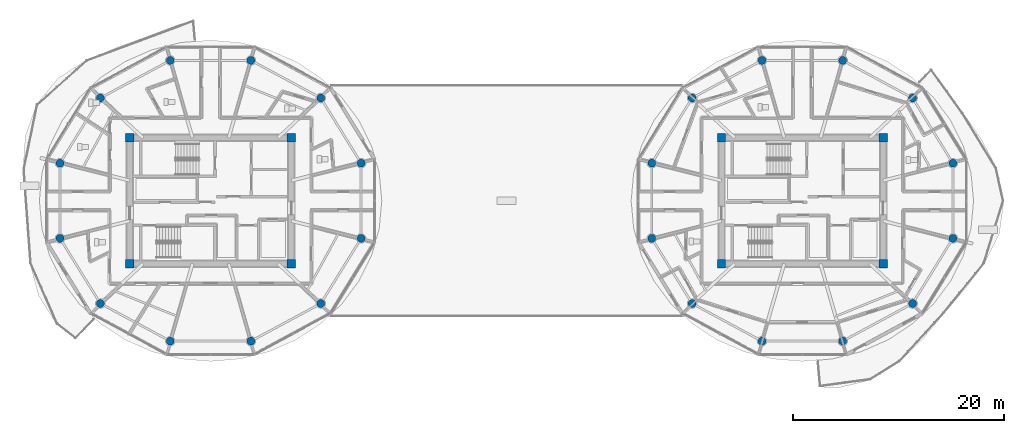
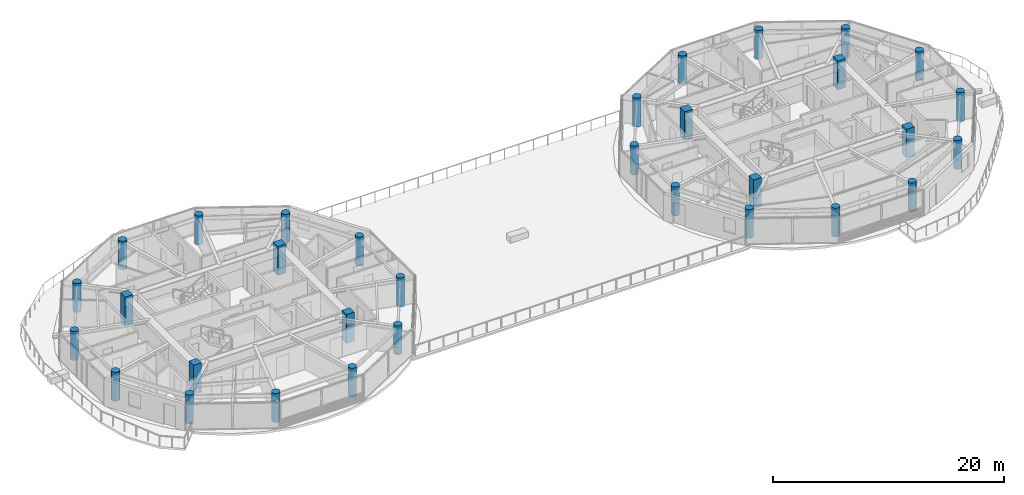
# One storey, part 1 of 30: 32 columns.
"""IFC4 building model written with IfcOpenShell, lengths in metres."""

from ifc_helpers import new_model, si_unit, direction, frame, origin, origin_2d, place, context, subcontext, project, spatial, rectangle, circle, extrude, source, transform, mapped, material, material_profile, profile_set, type_object, type_shapes, element, save


model = new_model("IFC4")

# Units and contexts
model_context = context("Model", 3, precision=1e-05, world=origin(), true_north=direction((0.0, 1.0)))
body_context = subcontext(model_context, "Body", "Model", "MODEL_VIEW")
ifc_project = project(units=[si_unit("LENGTHUNIT", "METRE"), si_unit("AREAUNIT", "SQUARE_METRE"), si_unit("VOLUMEUNIT", "CUBIC_METRE"), si_unit("PLANEANGLEUNIT", "RADIAN"), si_unit("MASSUNIT", "GRAM", prefix="KILO")], contexts=[model_context])

# Site, building, storey
site_placement = place(None, origin())
site = spatial("IfcSite", under=ifc_project, at=site_placement, CompositionType="ELEMENT")
building_placement = place(site_placement, origin())
building = spatial("IfcBuilding", under=site, at=building_placement, Name="Norrkilde Senior Care Towers", CompositionType="ELEMENT")
storey_placement = place(building_placement, frame((0.0, 0.0, 232.199951171875)))
storey = spatial("IfcBuildingStorey", under=building, at=storey_placement, Name="L72", CompositionType="ELEMENT", Elevation=232.199951171875)

# Columns
ifc_material_1 = material(Name="Concrete C60/75", Category="concrete")
ifc_material_profile_1 = material_profile(ifc_material_1, rectangle(XDim=0.800048828125, YDim=0.800048828125, at=origin_2d()), Name="RC COL 800x800")
ifc_profile_set_1 = profile_set([ifc_material_profile_1], Name="Concrete C60/75")
column_type_1 = type_object("IfcColumnType", Name="Column Core Corner Z3-Z4 800", PredefinedType="COLUMN", material=ifc_profile_set_1)
shared_shape_1 = source(origin(), body_context, "Body", "SweptSolid", [
    extrude(rectangle(XDim=0.800048828125, YDim=0.800048828125, at=origin_2d()), origin(), (0.0, 0.0, 1.0), 3.050048828125),
])
type_shapes(column_type_1, [shared_shape_1])
for number, where, z_axis, x_axis, name in (
    (1, (-35.64990234375, -5.949951171875, 0.0), (0.0, 0.0, 1.0), (1.0, 0.0, 0.0), "L72 Core W Corner Column 1"),
    (2, (-20.35009765625, -5.949951171875, 0.0), (0.0, 0.0, 1.0), (1.0, 0.0, 0.0), "L72 Core W Corner Column 2"),
    (3, (-20.35009765625, 5.949951171875, 0.0), (0.0, 0.0, 1.0), (1.0, 0.0, 0.0), "L72 Core W Corner Column 3"),
    (4, (-35.64990234375, 5.949951171875, 0.0), (0.0, 0.0, 1.0), (1.0, 0.0, 0.0), "L72 Core W Corner Column 4"),
    (5, (20.35009765625, -5.949951171875, 0.0), (0.0, 0.0, 1.0), (1.0, 0.0, 0.0), "L72 Core E Corner Column 1"),
    (6, (35.64990234375, -5.949951171875, 0.0), (0.0, 0.0, 1.0), (1.0, 0.0, 0.0), "L72 Core E Corner Column 2"),
    (7, (35.64990234375, 5.949951171875, 0.0), (0.0, 0.0, 1.0), (1.0, 0.0, 0.0), "L72 Core E Corner Column 3"),
    (8, (20.35009765625, 5.949951171875, 0.0), (0.0, 0.0, 1.0), (1.0, 0.0, 0.0), "L72 Core E Corner Column 4"),
):
    element("IfcColumn", number, at=place(storey_placement, frame(where, z_axis=z_axis, x_axis=x_axis)), inside=storey, type_object=column_type_1, Name=name, PredefinedType="COLUMN", context=body_context, shape_type="MappedRepresentation", body=[
        mapped(shared_shape_1, transform((0.0, 0.0, 0.0), x_axis=(1.0, 0.0, 0.0), y_axis=(0.0, 1.0, 0.0), z_axis=(0.0, 0.0, 1.0), scale=1.0)),
    ])
ifc_material_2 = material(Name="Concrete C50/60", Category="concrete")
ifc_material_profile_2 = material_profile(ifc_material_2, circle(Radius=0.375, at=origin_2d()), Name="RC CIR 750")
ifc_profile_set_2 = profile_set([ifc_material_profile_2], Name="Concrete C50/60")
column_type_2 = type_object("IfcColumnType", Name="Column Perimeter Z4 750", PredefinedType="COLUMN", material=ifc_profile_set_2)
shared_shape_2 = source(origin(), body_context, "Body", "SweptSolid", [
    extrude(circle(Radius=0.375, at=origin_2d()), origin(), (0.0, 0.0, 1.0), 3.050048828125),
])
type_shapes(column_type_2, [shared_shape_2])
for number, where, z_axis, x_axis, name in (
    (9, (-13.752685546875, 3.558837890625, 0.0), (0.0, 0.0, 1.0), (1.0, 0.0, 0.0), "L72 Drum W Perimeter Column 01"),
    (10, (-17.570068359375, 9.72265625, 0.0), (0.0, 0.0, 1.0), (1.0, 0.0, 0.0), "L72 Drum W Perimeter Column 02"),
    (11, (-24.182373046875, 13.281494140625, 0.0), (0.0, 0.0, 1.0), (1.0, 0.0, 0.0), "L72 Drum W Perimeter Column 03"),
    (12, (-31.817626953125, 13.281494140625, 0.0), (0.0, 0.0, 1.0), (1.0, 0.0, 0.0), "L72 Drum W Perimeter Column 04"),
    (13, (-38.429931640625, 9.72265625, 0.0), (0.0, 0.0, 1.0), (1.0, 0.0, 0.0), "L72 Drum W Perimeter Column 05"),
    (14, (-42.247314453125, 3.558837890625, 0.0), (0.0, 0.0, 1.0), (1.0, 0.0, 0.0), "L72 Drum W Perimeter Column 06"),
    (15, (-42.247314453125, -3.558837890625, 0.0), (0.0, 0.0, 1.0), (1.0, 0.0, 0.0), "L72 Drum W Perimeter Column 07"),
    (16, (-38.429931640625, -9.72265625, 0.0), (0.0, 0.0, 1.0), (1.0, 0.0, 0.0), "L72 Drum W Perimeter Column 08"),
    (17, (-31.817626953125, -13.281494140625, 0.0), (0.0, 0.0, 1.0), (1.0, 0.0, 0.0), "L72 Drum W Perimeter Column 09"),
    (18, (-24.182373046875, -13.281494140625, 0.0), (0.0, 0.0, 1.0), (1.0, 0.0, 0.0), "L72 Drum W Perimeter Column 10"),
    (19, (-17.570068359375, -9.72265625, 0.0), (0.0, 0.0, 1.0), (1.0, 0.0, 0.0), "L72 Drum W Perimeter Column 11"),
    (20, (-13.752685546875, -3.558837890625, 0.0), (0.0, 0.0, 1.0), (1.0, 0.0, 0.0), "L72 Drum W Perimeter Column 12"),
    (21, (42.247314453125, 3.558837890625, 0.0), (0.0, 0.0, 1.0), (1.0, 0.0, 0.0), "L72 Drum E Perimeter Column 01"),
    (22, (38.429931640625, 9.72265625, 0.0), (0.0, 0.0, 1.0), (1.0, 0.0, 0.0), "L72 Drum E Perimeter Column 02"),
    (23, (31.817626953125, 13.281494140625, 0.0), (0.0, 0.0, 1.0), (1.0, 0.0, 0.0), "L72 Drum E Perimeter Column 03"),
    (24, (24.182373046875, 13.281494140625, 0.0), (0.0, 0.0, 1.0), (1.0, 0.0, 0.0), "L72 Drum E Perimeter Column 04"),
    (25, (17.570068359375, 9.72265625, 0.0), (0.0, 0.0, 1.0), (1.0, 0.0, 0.0), "L72 Drum E Perimeter Column 05"),
    (26, (13.752685546875, 3.558837890625, 0.0), (0.0, 0.0, 1.0), (1.0, 0.0, 0.0), "L72 Drum E Perimeter Column 06"),
    (27, (13.752685546875, -3.558837890625, 0.0), (0.0, 0.0, 1.0), (1.0, 0.0, 0.0), "L72 Drum E Perimeter Column 07"),
    (28, (17.570068359375, -9.72265625, 0.0), (0.0, 0.0, 1.0), (1.0, 0.0, 0.0), "L72 Drum E Perimeter Column 08"),
    (29, (24.182373046875, -13.281494140625, 0.0), (0.0, 0.0, 1.0), (1.0, 0.0, 0.0), "L72 Drum E Perimeter Column 09"),
    (30, (31.817626953125, -13.281494140625, 0.0), (0.0, 0.0, 1.0), (1.0, 0.0, 0.0), "L72 Drum E Perimeter Column 10"),
    (31, (38.429931640625, -9.72265625, 0.0), (0.0, 0.0, 1.0), (1.0, 0.0, 0.0), "L72 Drum E Perimeter Column 11"),
    (32, (42.247314453125, -3.558837890625, 0.0), (0.0, 0.0, 1.0), (1.0, 0.0, 0.0), "L72 Drum E Perimeter Column 12"),
):
    element("IfcColumn", number, at=place(storey_placement, frame(where, z_axis=z_axis, x_axis=x_axis)), inside=storey, type_object=column_type_2, Name=name, PredefinedType="COLUMN", context=body_context, shape_type="MappedRepresentation", body=[
        mapped(shared_shape_2, transform((0.0, 0.0, 0.0), x_axis=(1.0, 0.0, 0.0), y_axis=(0.0, 1.0, 0.0), z_axis=(0.0, 0.0, 1.0), scale=1.0)),
    ])

save(model, "model.ifc")
